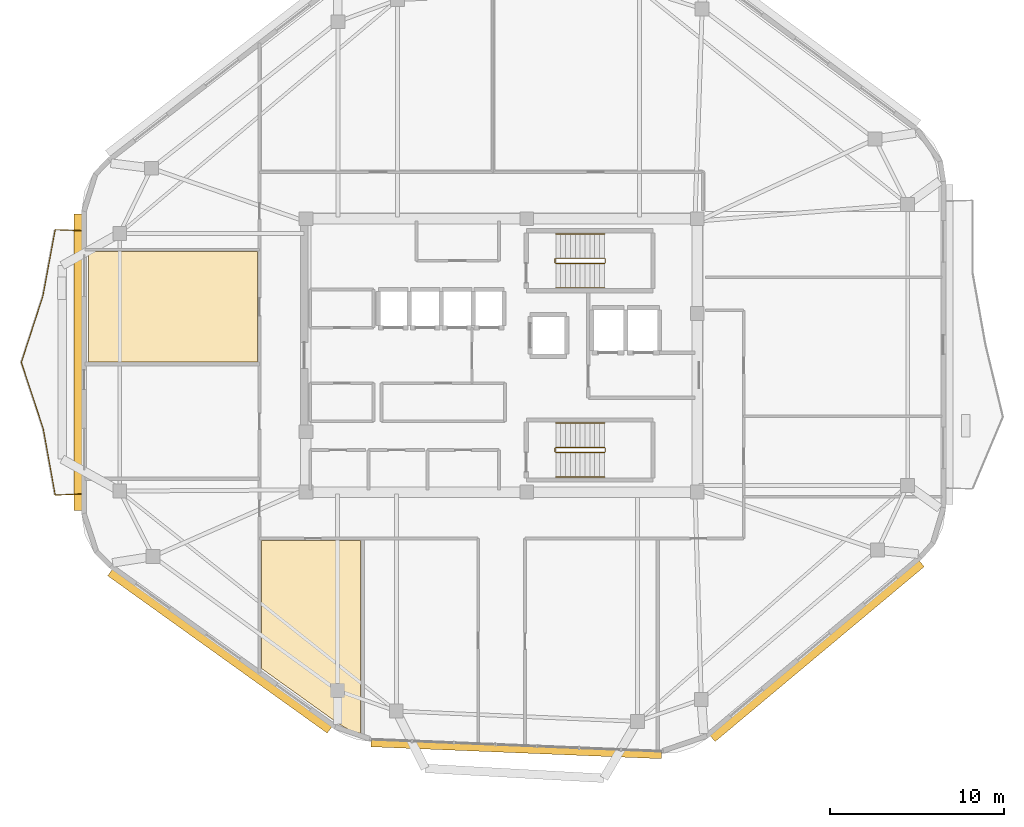
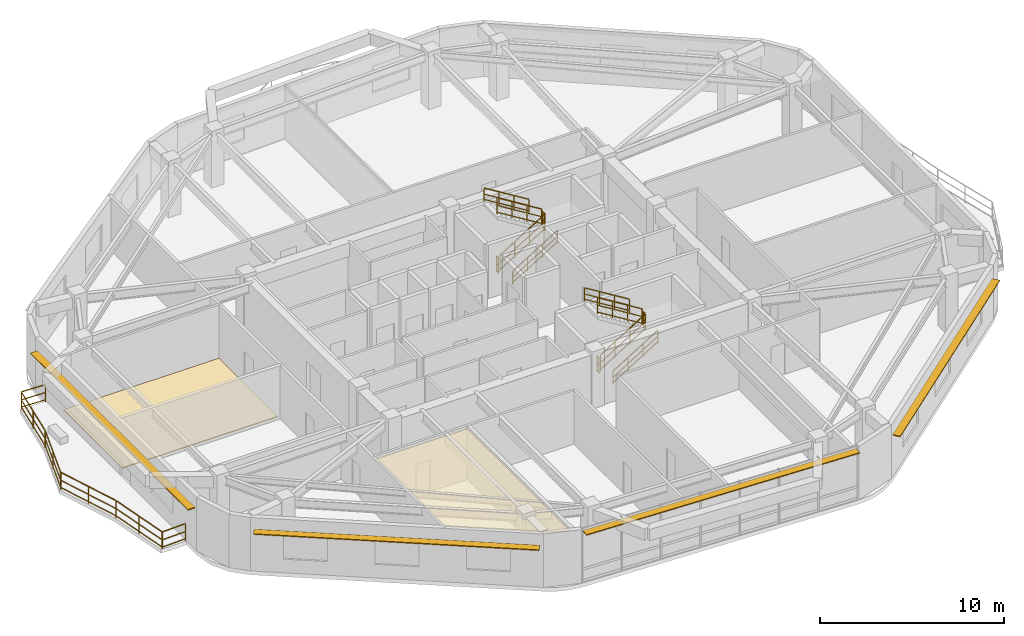
# One storey, part 12 of 13: 18 railings, 4 shading devices, 2 coverings.
"""IFC4 building model written with IfcOpenShell, lengths in metres."""

from ifc_helpers import new_model, si_unit, direction, frame, origin, origin_2d, place, context, subcontext, project, spatial, polyline, rectangle, outline, extrude, material, layer, layer_set, type_object, element, save


model = new_model("IFC4")

# Units and contexts
model_context = context("Model", 3, precision=1e-05, world=origin(), true_north=direction((0.0, 1.0)))
body_context = subcontext(model_context, "Body", "Model", "MODEL_VIEW")
ifc_project = project(units=[si_unit("LENGTHUNIT", "METRE"), si_unit("AREAUNIT", "SQUARE_METRE"), si_unit("VOLUMEUNIT", "CUBIC_METRE"), si_unit("PLANEANGLEUNIT", "RADIAN"), si_unit("MASSUNIT", "GRAM", prefix="KILO")], contexts=[model_context])

# Site, building, storey
site_placement = place(None, origin())
site = spatial("IfcSite", under=ifc_project, at=site_placement, CompositionType="ELEMENT")
building_placement = place(site_placement, origin())
building = spatial("IfcBuilding", under=site, at=building_placement, Name="Zulverin Broadcast Headquarters", CompositionType="ELEMENT")
storey_placement = place(building_placement, frame((0.0, 0.0, 301.0)))
storey = spatial("IfcBuildingStorey", under=building, at=storey_placement, Name="L77", CompositionType="ELEMENT", Elevation=301.0)

# Coverings
ifc_material_1 = material(Name="Perforated pale-metal acoustic baffle ceiling", Category="aluminium")
ifc_layer_1 = layer(ifc_material_1, 0.0400390625, Name="Perforated pale-metal acoustic baffle ceiling", Category="aluminium")
ifc_layer_set_1 = layer_set([ifc_layer_1], Name="Perforated pale-metal acoustic baffle ceiling")
covering_type_1 = type_object("IfcCoveringType", Name="COV-CEIL-ACOU", PredefinedType="CEILING", material=ifc_layer_set_1)
covering_1_placement = place(storey_placement, frame((0.0, 0.0, 3.360107421875)))
element("IfcCovering", 1, at=covering_1_placement, inside=storey, type_object=covering_type_1, Name="L77 Acoustic Baffle Ceiling 03", PredefinedType="CEILING", context=body_context, shape_type="SweptSolid", body=[
    extrude(outline(polyline([(27.580078125, 3.99609375), (28.1640625, 3.656005859375), (28.7880859375, 3.444091796875), (28.8798828125, 3.431884765625), (28.8798828125, 14.531982421875), (23.16796875, 14.531982421875), (23.16796875, 7.159912109375), (27.580078125, 3.99609375)])), origin(), (0.0, 0.0, 1.0), 0.039794921875),
])
ifc_material_2 = material(Name="Anti-static broadcast raised access flooring", Category="stone")
ifc_layer_2 = layer(ifc_material_2, 0.050048828125, Name="Anti-static broadcast raised access flooring", Category="stone")
ifc_layer_set_2 = layer_set([ifc_layer_2], Name="Anti-static broadcast raised access flooring")
covering_type_2 = type_object("IfcCoveringType", Name="COV-FLR-RAISED", PredefinedType="FLOORING", material=ifc_layer_set_2)
covering_2_placement = place(storey_placement, origin())
element("IfcCovering", 2, at=covering_2_placement, inside=storey, type_object=covering_type_2, Name="L77 Broadcast Raised Access Flooring 02", PredefinedType="FLOORING", context=body_context, shape_type="SweptSolid", body=[
    extrude(outline(polyline([(22.927978515625, 31.179931640625), (13.199951171875, 31.179931640625), (13.199951171875, 24.820068359375), (22.927978515625, 24.820068359375), (22.927978515625, 31.179931640625)])), origin(), (0.0, 0.0, 1.0), 0.050048828125),
])

# Railings
ifc_material_3 = material(Name="Brushed stainless steel & laminated glass balustrade", Category="steel")
railing_type_1 = type_object("IfcRailingType", Name="RL-GUARD-1150", PredefinedType="GUARDRAIL", material=ifc_material_3)
railing_1_placement = place(storey_placement, frame((12.760009765625, 32.387939453125, 0.0)))
element("IfcRailing", 3, at=railing_1_placement, inside=storey, type_object=railing_type_1, Name="L77 Vertical-Forest Balcony Guardrail BAL_W Segment 01", PredefinedType="GUARDRAIL", context=body_context, shape_type="SweptSolid", body=[
    extrude(rectangle(XDim=0.048095703125, YDim=0.048095703125, at=origin_2d()), frame((0.0, 0.0, 1.1259765625), z_axis=(-0.999174410196, 0.040626321628, 0.0), x_axis=(-0.040626321628, -0.999174410196, 0.0)), (0.0, 0.0, 1.0), 1.46630859375),
    extrude(rectangle(XDim=0.0419921875, YDim=0.0419921875, at=origin_2d()), frame((0.0, 0.0, 0.597900390625), z_axis=(-0.999174410196, 0.040626321628, 0.0), x_axis=(-0.040626321628, -0.999174410196, 0.0)), (0.0, 0.0, 1.0), 1.46630859375),
    extrude(rectangle(XDim=0.0419921875, YDim=0.0419921875, at=origin_2d()), frame((0.0, 0.0, 0.1201171875), z_axis=(-0.999174410196, 0.040626321628, 0.0), x_axis=(-0.040626321628, -0.999174410196, 0.0)), (0.0, 0.0, 1.0), 1.46630859375),
    extrude(rectangle(XDim=0.0419921875, YDim=0.0419921875, at=origin_2d()), origin(), (0.0, 0.0, 1.0), 1.101806640625),
    extrude(rectangle(XDim=0.0419921875, YDim=0.0419921875, at=origin_2d()), frame((-1.465087890625, 0.0595703125, 0.0)), (0.0, 0.0, 1.0), 1.101806640625),
])
railing_2_placement = place(storey_placement, frame((11.27734375, 32.433349609375, 0.0)))
element("IfcRailing", 4, at=railing_2_placement, inside=storey, type_object=railing_type_1, Name="L77 Vertical-Forest Balcony Guardrail BAL_W Segment 02", PredefinedType="GUARDRAIL", context=body_context, shape_type="SweptSolid", body=[
    extrude(rectangle(XDim=0.048095703125, YDim=0.048095703125, at=origin_2d()), frame((0.0, 0.0, 1.1259765625), z_axis=(-0.182130036046, -0.983274453024, 0.0), x_axis=(0.983274453024, -0.182130036046, 0.0)), (0.0, 0.0, 1.0), 3.859130859375),
    extrude(rectangle(XDim=0.0419921875, YDim=0.0419921875, at=origin_2d()), frame((0.0, 0.0, 0.597900390625), z_axis=(-0.182130036046, -0.983274453024, 0.0), x_axis=(0.983274453024, -0.182130036046, 0.0)), (0.0, 0.0, 1.0), 3.859130859375),
    extrude(rectangle(XDim=0.0419921875, YDim=0.0419921875, at=origin_2d()), frame((0.0, 0.0, 0.1201171875), z_axis=(-0.182130036046, -0.983274453024, 0.0), x_axis=(0.983274453024, -0.182130036046, 0.0)), (0.0, 0.0, 1.0), 3.859130859375),
    extrude(rectangle(XDim=0.0419921875, YDim=0.0419921875, at=origin_2d()), origin(), (0.0, 0.0, 1.0), 1.101806640625),
    extrude(rectangle(XDim=0.0419921875, YDim=0.0419921875, at=origin_2d()), frame((-0.3515625, -1.8974609375, 0.0)), (0.0, 0.0, 1.0), 1.101806640625),
    extrude(rectangle(XDim=0.0419921875, YDim=0.0419921875, at=origin_2d()), frame((-0.702880859375, -3.794677734375, 0.0)), (0.0, 0.0, 1.0), 1.101806640625),
])
railing_3_placement = place(storey_placement, frame((10.567138671875, 28.609619140625, 0.0)))
element("IfcRailing", 5, at=railing_3_placement, inside=storey, type_object=railing_type_1, Name="L77 Vertical-Forest Balcony Guardrail BAL_W Segment 03", PredefinedType="GUARDRAIL", context=body_context, shape_type="SweptSolid", body=[
    extrude(rectangle(XDim=0.048095703125, YDim=0.048095703125, at=origin_2d()), frame((0.0, 0.0, 1.1259765625), z_axis=(-0.308839817725, -0.951114066234, 0.0), x_axis=(0.951114066234, -0.308839817725, 0.0)), (0.0, 0.0, 1.0), 3.990478515625),
    extrude(rectangle(XDim=0.0419921875, YDim=0.0419921875, at=origin_2d()), frame((0.0, 0.0, 0.597900390625), z_axis=(-0.308839817725, -0.951114066234, 0.0), x_axis=(0.951114066234, -0.308839817725, 0.0)), (0.0, 0.0, 1.0), 3.990478515625),
    extrude(rectangle(XDim=0.0419921875, YDim=0.0419921875, at=origin_2d()), frame((0.0, 0.0, 0.1201171875), z_axis=(-0.308839817725, -0.951114066234, 0.0), x_axis=(0.951114066234, -0.308839817725, 0.0)), (0.0, 0.0, 1.0), 3.990478515625),
    extrude(rectangle(XDim=0.0419921875, YDim=0.0419921875, at=origin_2d()), origin(), (0.0, 0.0, 1.0), 1.101806640625),
    extrude(rectangle(XDim=0.0419921875, YDim=0.0419921875, at=origin_2d()), frame((-0.6162109375, -1.897705078125, 0.0)), (0.0, 0.0, 1.0), 1.101806640625),
    extrude(rectangle(XDim=0.0419921875, YDim=0.0419921875, at=origin_2d()), frame((-1.232421875, -3.79541015625, 0.0)), (0.0, 0.0, 1.0), 1.101806640625),
])
railing_4_placement = place(storey_placement, frame((9.334716796875, 24.78564453125, 0.0)))
element("IfcRailing", 6, at=railing_4_placement, inside=storey, type_object=railing_type_1, Name="L77 Vertical-Forest Balcony Guardrail BAL_W Segment 04", PredefinedType="GUARDRAIL", context=body_context, shape_type="SweptSolid", body=[
    extrude(rectangle(XDim=0.048095703125, YDim=0.048095703125, at=origin_2d()), frame((0.0, 0.0, 1.1259765625), z_axis=(0.312908586349, -0.949783247162, 0.0), x_axis=(0.949783247162, 0.312908586349, 0.0)), (0.0, 0.0, 1.0), 3.996337890625),
    extrude(rectangle(XDim=0.0419921875, YDim=0.0419921875, at=origin_2d()), frame((0.0, 0.0, 0.597900390625), z_axis=(0.312908586349, -0.949783247162, 0.0), x_axis=(0.949783247162, 0.312908586349, 0.0)), (0.0, 0.0, 1.0), 3.996337890625),
    extrude(rectangle(XDim=0.0419921875, YDim=0.0419921875, at=origin_2d()), frame((0.0, 0.0, 0.1201171875), z_axis=(0.312908586349, -0.949783247162, 0.0), x_axis=(0.949783247162, 0.312908586349, 0.0)), (0.0, 0.0, 1.0), 3.996337890625),
    extrude(rectangle(XDim=0.0419921875, YDim=0.0419921875, at=origin_2d()), origin(), (0.0, 0.0, 1.0), 1.101806640625),
    extrude(rectangle(XDim=0.0419921875, YDim=0.0419921875, at=origin_2d()), frame((0.625244140625, -1.89794921875, 0.0)), (0.0, 0.0, 1.0), 1.101806640625),
    extrude(rectangle(XDim=0.0419921875, YDim=0.0419921875, at=origin_2d()), frame((1.25048828125, -3.795654296875, 0.0)), (0.0, 0.0, 1.0), 1.101806640625),
])
railing_5_placement = place(storey_placement, frame((10.5927734375, 20.9609375, 0.0)))
element("IfcRailing", 7, at=railing_5_placement, inside=storey, type_object=railing_type_1, Name="L77 Vertical-Forest Balcony Guardrail BAL_W Segment 05", PredefinedType="GUARDRAIL", context=body_context, shape_type="SweptSolid", body=[
    extrude(rectangle(XDim=0.048095703125, YDim=0.048095703125, at=origin_2d()), frame((0.0, 0.0, 1.1259765625), z_axis=(0.177547964462, -0.984112148241, 0.0), x_axis=(0.984112148241, 0.177547964462, 0.0)), (0.0, 0.0, 1.0), 3.855712890625),
    extrude(rectangle(XDim=0.0419921875, YDim=0.0419921875, at=origin_2d()), frame((0.0, 0.0, 0.597900390625), z_axis=(0.177547964462, -0.984112148241, 0.0), x_axis=(0.984112148241, 0.177547964462, 0.0)), (0.0, 0.0, 1.0), 3.855712890625),
    extrude(rectangle(XDim=0.0419921875, YDim=0.0419921875, at=origin_2d()), frame((0.0, 0.0, 0.1201171875), z_axis=(0.177547964462, -0.984112148241, 0.0), x_axis=(0.984112148241, 0.177547964462, 0.0)), (0.0, 0.0, 1.0), 3.855712890625),
    extrude(rectangle(XDim=0.0419921875, YDim=0.0419921875, at=origin_2d()), origin(), (0.0, 0.0, 1.0), 1.101806640625),
    extrude(rectangle(XDim=0.0419921875, YDim=0.0419921875, at=origin_2d()), frame((0.34228515625, -1.897216796875, 0.0)), (0.0, 0.0, 1.0), 1.101806640625),
    extrude(rectangle(XDim=0.0419921875, YDim=0.0419921875, at=origin_2d()), frame((0.6845703125, -3.79443359375, 0.0)), (0.0, 0.0, 1.0), 1.101806640625),
])
railing_6_placement = place(storey_placement, frame((11.294921875, 17.15234375, 0.0)))
element("IfcRailing", 8, at=railing_6_placement, inside=storey, type_object=railing_type_1, Name="L77 Vertical-Forest Balcony Guardrail BAL_W Segment 06", PredefinedType="GUARDRAIL", context=body_context, shape_type="SweptSolid", body=[
    extrude(rectangle(XDim=0.048095703125, YDim=0.048095703125, at=origin_2d()), frame((0.0, 0.0, 1.1259765625), z_axis=(0.999181155166, 0.040460093435, 0.0), x_axis=(-0.040460093435, 0.999181155166, 0.0)), (0.0, 0.0, 1.0), 1.46630859375),
    extrude(rectangle(XDim=0.0419921875, YDim=0.0419921875, at=origin_2d()), frame((0.0, 0.0, 0.597900390625), z_axis=(0.999181155166, 0.040460093435, 0.0), x_axis=(-0.040460093435, 0.999181155166, 0.0)), (0.0, 0.0, 1.0), 1.46630859375),
    extrude(rectangle(XDim=0.0419921875, YDim=0.0419921875, at=origin_2d()), frame((0.0, 0.0, 0.1201171875), z_axis=(0.999181155166, 0.040460093435, 0.0), x_axis=(-0.040460093435, 0.999181155166, 0.0)), (0.0, 0.0, 1.0), 1.46630859375),
    extrude(rectangle(XDim=0.0419921875, YDim=0.0419921875, at=origin_2d()), origin(), (0.0, 0.0, 1.0), 1.101806640625),
    extrude(rectangle(XDim=0.0419921875, YDim=0.0419921875, at=origin_2d()), frame((1.465087890625, 0.059326171875, 0.0)), (0.0, 0.0, 1.0), 1.101806640625),
])
ifc_material_4 = material(Name="Painted galvanized steel tubular guardrail S355JR", Category="steel")
railing_type_2 = type_object("IfcRailingType", Name="RL-ST-GUARD", PredefinedType="GUARDRAIL", material=ifc_material_4)
railing_7_placement = place(storey_placement, frame((40.1298828125, 30.5, 0.172607421875)))
element("IfcRailing", 9, at=railing_7_placement, inside=storey, type_object=railing_type_2, Name="L77 ST-1 stair guard 1", PredefinedType="GUARDRAIL", context=body_context, shape_type="SweptSolid", body=[
    extrude(rectangle(XDim=0.048095703125, YDim=0.048095703125, at=origin_2d()), frame((0.0, 0.0, 1.076171875), z_axis=(0.851089632645, 0.0, 0.525020415988), x_axis=(0.0, 1.0, 0.0)), (0.0, 0.0, 1.0), 3.2900390625),
    extrude(rectangle(XDim=0.0419921875, YDim=0.0419921875, at=origin_2d()), frame((0.0, 0.0, 0.572021484375), z_axis=(0.851089632645, 0.0, 0.525020415988), x_axis=(0.0, 1.0, 0.0)), (0.0, 0.0, 1.0), 3.2900390625),
    extrude(rectangle(XDim=0.0419921875, YDim=0.0419921875, at=origin_2d()), frame((0.0, 0.0, 0.1201171875), z_axis=(0.851089632645, 0.0, 0.525020415988), x_axis=(0.0, 1.0, 0.0)), (0.0, 0.0, 1.0), 3.2900390625),
    extrude(rectangle(XDim=0.0419921875, YDim=0.0419921875, at=origin_2d()), origin(), (0.0, 0.0, 1.0), 1.052001953125),
    extrude(rectangle(XDim=0.0419921875, YDim=0.0419921875, at=origin_2d()), frame((0.933349609375, 0.0, 0.57568359375)), (0.0, 0.0, 1.0), 1.052001953125),
    extrude(rectangle(XDim=0.0419921875, YDim=0.0419921875, at=origin_2d()), frame((1.86669921875, 0.0, 1.151611328125)), (0.0, 0.0, 1.0), 1.052001953125),
    extrude(rectangle(XDim=0.0419921875, YDim=0.0419921875, at=origin_2d()), frame((2.800048828125, 0.0, 1.727294921875)), (0.0, 0.0, 1.0), 1.052001953125),
])
railing_8_placement = place(storey_placement, frame((42.97998046875, 30.550048828125, 1.89990234375)))
element("IfcRailing", 10, at=railing_8_placement, inside=storey, type_object=railing_type_2, Name="L77 ST-1 stair guard 2", PredefinedType="GUARDRAIL", context=body_context, shape_type="SweptSolid", body=[
    extrude(rectangle(XDim=0.048095703125, YDim=0.048095703125, at=origin_2d()), frame((0.0, 0.0, 1.076171875), z_axis=(0.0, 1.0, 0.0), x_axis=(-1.0, 0.0, 0.0)), (0.0, 0.0, 1.0), 0.199951171875),
    extrude(rectangle(XDim=0.0419921875, YDim=0.0419921875, at=origin_2d()), frame((0.0, 0.0, 0.572021484375), z_axis=(0.0, 1.0, 0.0), x_axis=(-1.0, 0.0, 0.0)), (0.0, 0.0, 1.0), 0.199951171875),
    extrude(rectangle(XDim=0.0419921875, YDim=0.0419921875, at=origin_2d()), frame((0.0, 0.0, 0.1201171875), z_axis=(0.0, 1.0, 0.0), x_axis=(-1.0, 0.0, 0.0)), (0.0, 0.0, 1.0), 0.199951171875),
    extrude(rectangle(XDim=0.0419921875, YDim=0.0419921875, at=origin_2d()), origin(), (0.0, 0.0, 1.0), 1.052001953125),
    extrude(rectangle(XDim=0.0419921875, YDim=0.0419921875, at=origin_2d()), frame((0.0, 0.199951171875, 0.0)), (0.0, 0.0, 1.0), 1.052001953125),
])
railing_9_placement = place(storey_placement, frame((42.929931640625, 30.800048828125, 2.07275390625)))
element("IfcRailing", 11, at=railing_9_placement, inside=storey, type_object=railing_type_2, Name="L77 ST-1 stair guard 3", PredefinedType="GUARDRAIL", context=body_context, shape_type="SweptSolid", body=[
    extrude(rectangle(XDim=0.048095703125, YDim=0.048095703125, at=origin_2d()), frame((0.0, 0.0, 1.076171875), z_axis=(-0.851089632645, 0.0, 0.525020415988), x_axis=(0.0, -1.0, 0.0)), (0.0, 0.0, 1.0), 3.2900390625),
    extrude(rectangle(XDim=0.0419921875, YDim=0.0419921875, at=origin_2d()), frame((0.0, 0.0, 0.572021484375), z_axis=(-0.851089632645, 0.0, 0.525020415988), x_axis=(0.0, -1.0, 0.0)), (0.0, 0.0, 1.0), 3.2900390625),
    extrude(rectangle(XDim=0.0419921875, YDim=0.0419921875, at=origin_2d()), frame((0.0, 0.0, 0.1201171875), z_axis=(-0.851089632645, 0.0, 0.525020415988), x_axis=(0.0, -1.0, 0.0)), (0.0, 0.0, 1.0), 3.2900390625),
    extrude(rectangle(XDim=0.0419921875, YDim=0.0419921875, at=origin_2d()), origin(), (0.0, 0.0, 1.0), 1.052001953125),
    extrude(rectangle(XDim=0.0419921875, YDim=0.0419921875, at=origin_2d()), frame((-0.933349609375, 0.0, 0.57568359375)), (0.0, 0.0, 1.0), 1.052001953125),
    extrude(rectangle(XDim=0.0419921875, YDim=0.0419921875, at=origin_2d()), frame((-1.86669921875, 0.0, 1.151611328125)), (0.0, 0.0, 1.0), 1.052001953125),
    extrude(rectangle(XDim=0.0419921875, YDim=0.0419921875, at=origin_2d()), frame((-2.800048828125, 0.0, 1.727294921875)), (0.0, 0.0, 1.0), 1.052001953125),
])
railing_10_placement = place(storey_placement, frame((40.080078125, 30.550048828125, 0.0)))
element("IfcRailing", 12, at=railing_10_placement, inside=storey, type_object=railing_type_2, Name="L77 ST-1 stair guard 4", PredefinedType="GUARDRAIL", context=body_context, shape_type="SweptSolid", body=[
    extrude(rectangle(XDim=0.048095703125, YDim=0.048095703125, at=origin_2d()), frame((0.0, 0.0, 1.076171875), z_axis=(0.0, 1.0, 0.0), x_axis=(-1.0, 0.0, 0.0)), (0.0, 0.0, 1.0), 0.199951171875),
    extrude(rectangle(XDim=0.0419921875, YDim=0.0419921875, at=origin_2d()), frame((0.0, 0.0, 0.572021484375), z_axis=(0.0, 1.0, 0.0), x_axis=(-1.0, 0.0, 0.0)), (0.0, 0.0, 1.0), 0.199951171875),
    extrude(rectangle(XDim=0.0419921875, YDim=0.0419921875, at=origin_2d()), frame((0.0, 0.0, 0.1201171875), z_axis=(0.0, 1.0, 0.0), x_axis=(-1.0, 0.0, 0.0)), (0.0, 0.0, 1.0), 0.199951171875),
    extrude(rectangle(XDim=0.0419921875, YDim=0.0419921875, at=origin_2d()), origin(), (0.0, 0.0, 1.0), 1.052001953125),
    extrude(rectangle(XDim=0.0419921875, YDim=0.0419921875, at=origin_2d()), frame((0.0, 0.199951171875, 0.0)), (0.0, 0.0, 1.0), 1.052001953125),
])
railing_11_placement = place(storey_placement, frame((40.1298828125, 19.60009765625, 0.172607421875)))
element("IfcRailing", 13, at=railing_11_placement, inside=storey, type_object=railing_type_2, Name="L77 ST-2 stair guard 1", PredefinedType="GUARDRAIL", context=body_context, shape_type="SweptSolid", body=[
    extrude(rectangle(XDim=0.048095703125, YDim=0.048095703125, at=origin_2d()), frame((0.0, 0.0, 1.076171875), z_axis=(0.851089632645, 0.0, 0.525020415988), x_axis=(0.0, 1.0, 0.0)), (0.0, 0.0, 1.0), 3.2900390625),
    extrude(rectangle(XDim=0.0419921875, YDim=0.0419921875, at=origin_2d()), frame((0.0, 0.0, 0.572021484375), z_axis=(0.851089632645, 0.0, 0.525020415988), x_axis=(0.0, 1.0, 0.0)), (0.0, 0.0, 1.0), 3.2900390625),
    extrude(rectangle(XDim=0.0419921875, YDim=0.0419921875, at=origin_2d()), frame((0.0, 0.0, 0.1201171875), z_axis=(0.851089632645, 0.0, 0.525020415988), x_axis=(0.0, 1.0, 0.0)), (0.0, 0.0, 1.0), 3.2900390625),
    extrude(rectangle(XDim=0.0419921875, YDim=0.0419921875, at=origin_2d()), origin(), (0.0, 0.0, 1.0), 1.052001953125),
    extrude(rectangle(XDim=0.0419921875, YDim=0.0419921875, at=origin_2d()), frame((0.933349609375, 0.0, 0.57568359375)), (0.0, 0.0, 1.0), 1.052001953125),
    extrude(rectangle(XDim=0.0419921875, YDim=0.0419921875, at=origin_2d()), frame((1.86669921875, 0.0, 1.151611328125)), (0.0, 0.0, 1.0), 1.052001953125),
    extrude(rectangle(XDim=0.0419921875, YDim=0.0419921875, at=origin_2d()), frame((2.800048828125, 0.0, 1.727294921875)), (0.0, 0.0, 1.0), 1.052001953125),
])
railing_12_placement = place(storey_placement, frame((42.97998046875, 19.64990234375, 1.89990234375)))
element("IfcRailing", 14, at=railing_12_placement, inside=storey, type_object=railing_type_2, Name="L77 ST-2 stair guard 2", PredefinedType="GUARDRAIL", context=body_context, shape_type="SweptSolid", body=[
    extrude(rectangle(XDim=0.048095703125, YDim=0.048095703125, at=origin_2d()), frame((0.0, 0.0, 1.076171875), z_axis=(0.0, 1.0, 0.0), x_axis=(-1.0, 0.0, 0.0)), (0.0, 0.0, 1.0), 0.2001953125),
    extrude(rectangle(XDim=0.0419921875, YDim=0.0419921875, at=origin_2d()), frame((0.0, 0.0, 0.572021484375), z_axis=(0.0, 1.0, 0.0), x_axis=(-1.0, 0.0, 0.0)), (0.0, 0.0, 1.0), 0.2001953125),
    extrude(rectangle(XDim=0.0419921875, YDim=0.0419921875, at=origin_2d()), frame((0.0, 0.0, 0.1201171875), z_axis=(0.0, 1.0, 0.0), x_axis=(-1.0, 0.0, 0.0)), (0.0, 0.0, 1.0), 0.2001953125),
    extrude(rectangle(XDim=0.0419921875, YDim=0.0419921875, at=origin_2d()), origin(), (0.0, 0.0, 1.0), 1.052001953125),
    extrude(rectangle(XDim=0.0419921875, YDim=0.0419921875, at=origin_2d()), frame((0.0, 0.2001953125, 0.0)), (0.0, 0.0, 1.0), 1.052001953125),
])
railing_13_placement = place(storey_placement, frame((42.929931640625, 19.89990234375, 2.07275390625)))
element("IfcRailing", 15, at=railing_13_placement, inside=storey, type_object=railing_type_2, Name="L77 ST-2 stair guard 3", PredefinedType="GUARDRAIL", context=body_context, shape_type="SweptSolid", body=[
    extrude(rectangle(XDim=0.048095703125, YDim=0.048095703125, at=origin_2d()), frame((0.0, 0.0, 1.076171875), z_axis=(-0.851089632645, 0.0, 0.525020415988), x_axis=(0.0, -1.0, 0.0)), (0.0, 0.0, 1.0), 3.2900390625),
    extrude(rectangle(XDim=0.0419921875, YDim=0.0419921875, at=origin_2d()), frame((0.0, 0.0, 0.572021484375), z_axis=(-0.851089632645, 0.0, 0.525020415988), x_axis=(0.0, -1.0, 0.0)), (0.0, 0.0, 1.0), 3.2900390625),
    extrude(rectangle(XDim=0.0419921875, YDim=0.0419921875, at=origin_2d()), frame((0.0, 0.0, 0.1201171875), z_axis=(-0.851089632645, 0.0, 0.525020415988), x_axis=(0.0, -1.0, 0.0)), (0.0, 0.0, 1.0), 3.2900390625),
    extrude(rectangle(XDim=0.0419921875, YDim=0.0419921875, at=origin_2d()), origin(), (0.0, 0.0, 1.0), 1.052001953125),
    extrude(rectangle(XDim=0.0419921875, YDim=0.0419921875, at=origin_2d()), frame((-0.933349609375, 0.0, 0.57568359375)), (0.0, 0.0, 1.0), 1.052001953125),
    extrude(rectangle(XDim=0.0419921875, YDim=0.0419921875, at=origin_2d()), frame((-1.86669921875, 0.0, 1.151611328125)), (0.0, 0.0, 1.0), 1.052001953125),
    extrude(rectangle(XDim=0.0419921875, YDim=0.0419921875, at=origin_2d()), frame((-2.800048828125, 0.0, 1.727294921875)), (0.0, 0.0, 1.0), 1.052001953125),
])
railing_14_placement = place(storey_placement, frame((40.080078125, 19.64990234375, 0.0)))
element("IfcRailing", 16, at=railing_14_placement, inside=storey, type_object=railing_type_2, Name="L77 ST-2 stair guard 4", PredefinedType="GUARDRAIL", context=body_context, shape_type="SweptSolid", body=[
    extrude(rectangle(XDim=0.048095703125, YDim=0.048095703125, at=origin_2d()), frame((0.0, 0.0, 1.076171875), z_axis=(0.0, 1.0, 0.0), x_axis=(-1.0, 0.0, 0.0)), (0.0, 0.0, 1.0), 0.2001953125),
    extrude(rectangle(XDim=0.0419921875, YDim=0.0419921875, at=origin_2d()), frame((0.0, 0.0, 0.572021484375), z_axis=(0.0, 1.0, 0.0), x_axis=(-1.0, 0.0, 0.0)), (0.0, 0.0, 1.0), 0.2001953125),
    extrude(rectangle(XDim=0.0419921875, YDim=0.0419921875, at=origin_2d()), frame((0.0, 0.0, 0.1201171875), z_axis=(0.0, 1.0, 0.0), x_axis=(-1.0, 0.0, 0.0)), (0.0, 0.0, 1.0), 0.2001953125),
    extrude(rectangle(XDim=0.0419921875, YDim=0.0419921875, at=origin_2d()), origin(), (0.0, 0.0, 1.0), 1.052001953125),
    extrude(rectangle(XDim=0.0419921875, YDim=0.0419921875, at=origin_2d()), frame((0.0, 0.2001953125, 0.0)), (0.0, 0.0, 1.0), 1.052001953125),
])
ifc_material_5 = material(Name="Brushed stainless steel 48 mm handrail", Category="steel")
railing_type_3 = type_object("IfcRailingType", Name="RL-ST-HAND", PredefinedType="HANDRAIL", material=ifc_material_5)
railing_15_placement = place(storey_placement, frame((40.1298828125, 29.10009765625, 0.172607421875)))
element("IfcRailing", 17, at=railing_15_placement, inside=storey, type_object=railing_type_3, Name="L77 ST-1 stair handrail 1", PredefinedType="HANDRAIL", context=body_context, shape_type="SweptSolid", body=[
    extrude(rectangle(XDim=0.048095703125, YDim=0.048095703125, at=origin_2d()), frame((0.0, 0.0, 0.8759765625), z_axis=(0.851089632645, 0.0, 0.525020415988), x_axis=(0.0, 1.0, 0.0)), (0.0, 0.0, 1.0), 3.2900390625),
    extrude(rectangle(XDim=0.0419921875, YDim=0.0419921875, at=origin_2d()), frame((0.0, 0.0, 0.468017578125), z_axis=(0.851089632645, 0.0, 0.525020415988), x_axis=(0.0, 1.0, 0.0)), (0.0, 0.0, 1.0), 3.2900390625),
    extrude(rectangle(XDim=0.0419921875, YDim=0.0419921875, at=origin_2d()), frame((0.0, 0.0, 0.1201171875), z_axis=(0.851089632645, 0.0, 0.525020415988), x_axis=(0.0, 1.0, 0.0)), (0.0, 0.0, 1.0), 3.2900390625),
    extrude(rectangle(XDim=0.0419921875, YDim=0.0419921875, at=origin_2d()), origin(), (0.0, 0.0, 1.0), 0.851806640625),
    extrude(rectangle(XDim=0.0419921875, YDim=0.0419921875, at=origin_2d()), frame((0.933349609375, 0.0, 0.57568359375)), (0.0, 0.0, 1.0), 0.851806640625),
    extrude(rectangle(XDim=0.0419921875, YDim=0.0419921875, at=origin_2d()), frame((1.86669921875, 0.0, 1.151611328125)), (0.0, 0.0, 1.0), 0.851806640625),
    extrude(rectangle(XDim=0.0419921875, YDim=0.0419921875, at=origin_2d()), frame((2.800048828125, 0.0, 1.727294921875)), (0.0, 0.0, 1.0), 0.851806640625),
])
railing_16_placement = place(storey_placement, frame((42.929931640625, 32.199951171875, 2.07275390625)))
element("IfcRailing", 18, at=railing_16_placement, inside=storey, type_object=railing_type_3, Name="L77 ST-1 stair handrail 2", PredefinedType="HANDRAIL", context=body_context, shape_type="SweptSolid", body=[
    extrude(rectangle(XDim=0.048095703125, YDim=0.048095703125, at=origin_2d()), frame((0.0, 0.0, 0.8759765625), z_axis=(-0.851089632645, 0.0, 0.525020415988), x_axis=(0.0, -1.0, 0.0)), (0.0, 0.0, 1.0), 3.2900390625),
    extrude(rectangle(XDim=0.0419921875, YDim=0.0419921875, at=origin_2d()), frame((0.0, 0.0, 0.468017578125), z_axis=(-0.851089632645, 0.0, 0.525020415988), x_axis=(0.0, -1.0, 0.0)), (0.0, 0.0, 1.0), 3.2900390625),
    extrude(rectangle(XDim=0.0419921875, YDim=0.0419921875, at=origin_2d()), frame((0.0, 0.0, 0.1201171875), z_axis=(-0.851089632645, 0.0, 0.525020415988), x_axis=(0.0, -1.0, 0.0)), (0.0, 0.0, 1.0), 3.2900390625),
    extrude(rectangle(XDim=0.0419921875, YDim=0.0419921875, at=origin_2d()), origin(), (0.0, 0.0, 1.0), 0.851806640625),
    extrude(rectangle(XDim=0.0419921875, YDim=0.0419921875, at=origin_2d()), frame((-0.933349609375, 0.0, 0.57568359375)), (0.0, 0.0, 1.0), 0.851806640625),
    extrude(rectangle(XDim=0.0419921875, YDim=0.0419921875, at=origin_2d()), frame((-1.86669921875, 0.0, 1.151611328125)), (0.0, 0.0, 1.0), 0.851806640625),
    extrude(rectangle(XDim=0.0419921875, YDim=0.0419921875, at=origin_2d()), frame((-2.800048828125, 0.0, 1.727294921875)), (0.0, 0.0, 1.0), 0.851806640625),
])
railing_17_placement = place(storey_placement, frame((40.1298828125, 18.199951171875, 0.172607421875)))
element("IfcRailing", 19, at=railing_17_placement, inside=storey, type_object=railing_type_3, Name="L77 ST-2 stair handrail 1", PredefinedType="HANDRAIL", context=body_context, shape_type="SweptSolid", body=[
    extrude(rectangle(XDim=0.048095703125, YDim=0.048095703125, at=origin_2d()), frame((0.0, 0.0, 0.8759765625), z_axis=(0.851089632645, 0.0, 0.525020415988), x_axis=(0.0, 1.0, 0.0)), (0.0, 0.0, 1.0), 3.2900390625),
    extrude(rectangle(XDim=0.0419921875, YDim=0.0419921875, at=origin_2d()), frame((0.0, 0.0, 0.468017578125), z_axis=(0.851089632645, 0.0, 0.525020415988), x_axis=(0.0, 1.0, 0.0)), (0.0, 0.0, 1.0), 3.2900390625),
    extrude(rectangle(XDim=0.0419921875, YDim=0.0419921875, at=origin_2d()), frame((0.0, 0.0, 0.1201171875), z_axis=(0.851089632645, 0.0, 0.525020415988), x_axis=(0.0, 1.0, 0.0)), (0.0, 0.0, 1.0), 3.2900390625),
    extrude(rectangle(XDim=0.0419921875, YDim=0.0419921875, at=origin_2d()), origin(), (0.0, 0.0, 1.0), 0.851806640625),
    extrude(rectangle(XDim=0.0419921875, YDim=0.0419921875, at=origin_2d()), frame((0.933349609375, 0.0, 0.57568359375)), (0.0, 0.0, 1.0), 0.851806640625),
    extrude(rectangle(XDim=0.0419921875, YDim=0.0419921875, at=origin_2d()), frame((1.86669921875, 0.0, 1.151611328125)), (0.0, 0.0, 1.0), 0.851806640625),
    extrude(rectangle(XDim=0.0419921875, YDim=0.0419921875, at=origin_2d()), frame((2.800048828125, 0.0, 1.727294921875)), (0.0, 0.0, 1.0), 0.851806640625),
])
railing_18_placement = place(storey_placement, frame((42.929931640625, 21.300048828125, 2.07275390625)))
element("IfcRailing", 20, at=railing_18_placement, inside=storey, type_object=railing_type_3, Name="L77 ST-2 stair handrail 2", PredefinedType="HANDRAIL", context=body_context, shape_type="SweptSolid", body=[
    extrude(rectangle(XDim=0.048095703125, YDim=0.048095703125, at=origin_2d()), frame((0.0, 0.0, 0.8759765625), z_axis=(-0.851089632645, 0.0, 0.525020415988), x_axis=(0.0, -1.0, 0.0)), (0.0, 0.0, 1.0), 3.2900390625),
    extrude(rectangle(XDim=0.0419921875, YDim=0.0419921875, at=origin_2d()), frame((0.0, 0.0, 0.468017578125), z_axis=(-0.851089632645, 0.0, 0.525020415988), x_axis=(0.0, -1.0, 0.0)), (0.0, 0.0, 1.0), 3.2900390625),
    extrude(rectangle(XDim=0.0419921875, YDim=0.0419921875, at=origin_2d()), frame((0.0, 0.0, 0.1201171875), z_axis=(-0.851089632645, 0.0, 0.525020415988), x_axis=(0.0, -1.0, 0.0)), (0.0, 0.0, 1.0), 3.2900390625),
    extrude(rectangle(XDim=0.0419921875, YDim=0.0419921875, at=origin_2d()), origin(), (0.0, 0.0, 1.0), 0.851806640625),
    extrude(rectangle(XDim=0.0419921875, YDim=0.0419921875, at=origin_2d()), frame((-0.933349609375, 0.0, 0.57568359375)), (0.0, 0.0, 1.0), 0.851806640625),
    extrude(rectangle(XDim=0.0419921875, YDim=0.0419921875, at=origin_2d()), frame((-1.86669921875, 0.0, 1.151611328125)), (0.0, 0.0, 1.0), 0.851806640625),
    extrude(rectangle(XDim=0.0419921875, YDim=0.0419921875, at=origin_2d()), frame((-2.800048828125, 0.0, 1.727294921875)), (0.0, 0.0, 1.0), 0.851806640625),
])

# Shading devices
ifc_material_6 = material(Name="Anodized pale-metal aluminium sunshade", Category="aluminium")
ifc_layer_3 = layer(ifc_material_6, 0.06005859375, Name="Anodized pale-metal aluminium sunshade", Category="aluminium")
ifc_layer_set_3 = layer_set([ifc_layer_3], Name="Anodized pale-metal aluminium sunshade")
shading_device_type = type_object("IfcShadingDeviceType", Name="SS-01_PALE_METAL_ALUMINIUM_SUNSHADE", PredefinedType="USERDEFINED", material=ifc_layer_set_3)
shading_device_1_placement = place(storey_placement, frame((37.850341796875, 2.52685546875, 3.31005859375), z_axis=(0.0, 0.0, 1.0), x_axis=(0.99915627139, -0.041070005388, 0.0)))
element("IfcShadingDevice", 21, at=shading_device_1_placement, inside=storey, type_object=shading_device_type, Name="L77 Pale-Metal Horizontal Sunshade Band CW-L77-E1", ObjectType="SUNSHADE", PredefinedType="USERDEFINED", context=body_context, shape_type="SweptSolid", body=[
    extrude(rectangle(XDim=16.736083984375, YDim=0.449951171875, at=origin_2d()), origin(), (0.0, 0.0, 1.0), 0.06005859375),
])
shading_device_2_placement = place(storey_placement, frame((55.186767578125, 8.158203125, 2.7099609375), z_axis=(0.0, 0.0, 1.0), x_axis=(0.76703526936, 0.641604937292, 0.0)))
element("IfcShadingDevice", 22, at=shading_device_2_placement, inside=storey, type_object=shading_device_type, Name="L77 Horizontal Pale-Metal Sunshade Band 2", ObjectType="SUNSHADE", PredefinedType="USERDEFINED", context=body_context, shape_type="SweptSolid", body=[
    extrude(rectangle(XDim=15.71337890625, YDim=0.449951171875, at=origin_2d()), origin(), (0.0, 0.0, 1.0), 0.06005859375),
])
shading_device_3_placement = place(storey_placement, frame((12.60009765625, 24.7998046875, 2.7099609375), z_axis=(0.0, 0.0, 1.0), x_axis=(0.0, -1.0, 0.0)))
element("IfcShadingDevice", 23, at=shading_device_3_placement, inside=storey, type_object=shading_device_type, Name="L77 Horizontal Pale-Metal Sunshade Band 7", ObjectType="SUNSHADE", PredefinedType="USERDEFINED", context=body_context, shape_type="SweptSolid", body=[
    extrude(rectangle(XDim=17.09619140625, YDim=0.449951171875, at=origin_2d()), origin(), (0.0, 0.0, 1.0), 0.06005859375),
])
shading_device_4_placement = place(storey_placement, frame((20.75927734375, 8.149658203125, 2.7099609375), z_axis=(0.0, 0.0, 1.0), x_axis=(0.812809068128, -0.582530187002, 0.0)))
element("IfcShadingDevice", 24, at=shading_device_4_placement, inside=storey, type_object=shading_device_type, Name="L77 Horizontal Pale-Metal Sunshade Band 8", ObjectType="SUNSHADE", PredefinedType="USERDEFINED", context=body_context, shape_type="SweptSolid", body=[
    extrude(rectangle(XDim=15.567626953125, YDim=0.449951171875, at=origin_2d()), origin(), (0.0, 0.0, 1.0), 0.06005859375),
])

save(model, "model.ifc")
